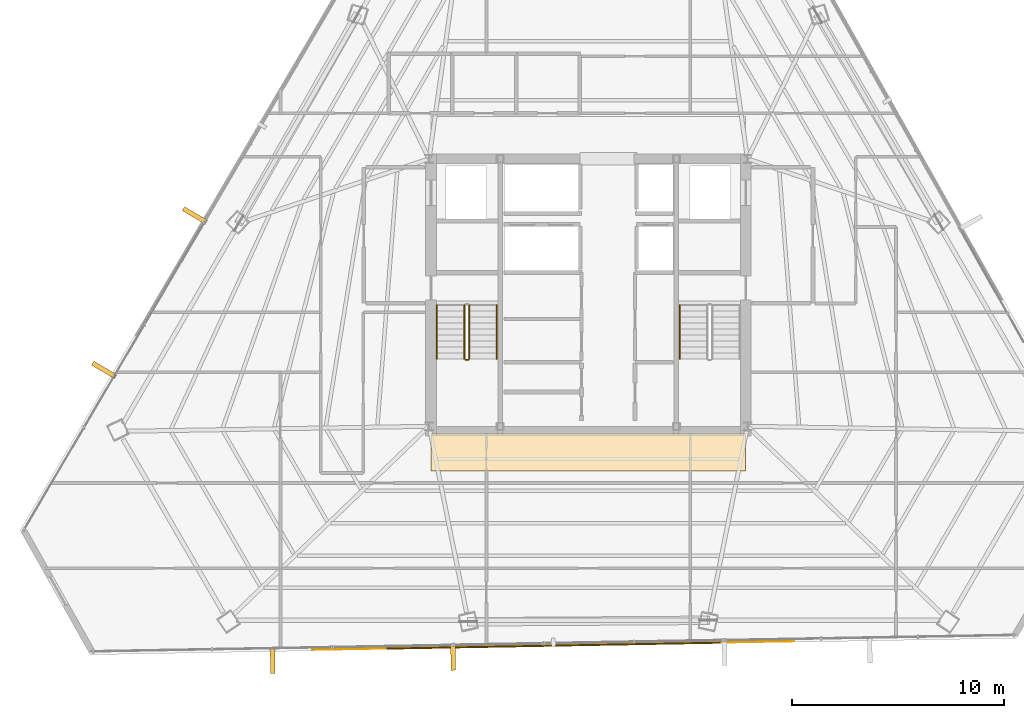
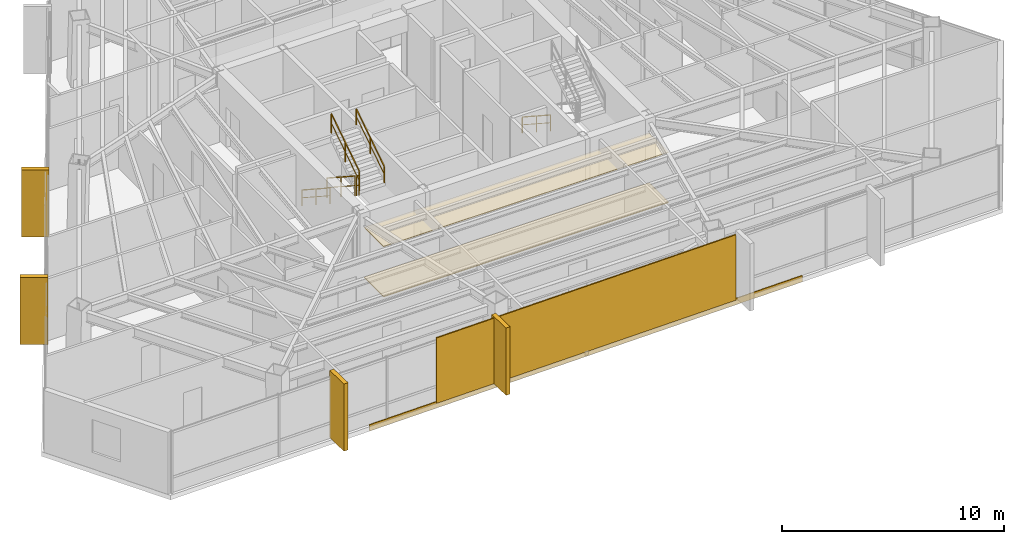
# One storey, part 41 of 44: 7 coverings, 6 railings, 1 shading device.
"""IFC4 building model written with IfcOpenShell, lengths in metres."""

from ifc_helpers import new_model, si_unit, direction, frame, origin, origin_2d, place, context, subcontext, project, spatial, polyline, rectangle, outline, extrude, source, transform, mapped, material, layer, layer_set, type_object, type_shapes, element, save


model = new_model("IFC4")

# Units and contexts
model_context = context("Model", 3, precision=1e-05, world=origin(), true_north=direction((0.0, 1.0)))
body_context = subcontext(model_context, "Body", "Model", "MODEL_VIEW")
ifc_project = project(units=[si_unit("LENGTHUNIT", "METRE"), si_unit("AREAUNIT", "SQUARE_METRE"), si_unit("VOLUMEUNIT", "CUBIC_METRE"), si_unit("PLANEANGLEUNIT", "RADIAN"), si_unit("MASSUNIT", "GRAM", prefix="KILO")], contexts=[model_context])

# Site, building, storey
site_placement = place(None, origin())
site = spatial("IfcSite", under=ifc_project, at=site_placement, CompositionType="ELEMENT")
building_placement = place(site_placement, origin())
building = spatial("IfcBuilding", under=site, at=building_placement, Name="Caelisora Broadcast Tower", CompositionType="ELEMENT")
storey_placement = place(building_placement, frame((0.0, 0.0, 198.64990234375)))
storey = spatial("IfcBuildingStorey", under=building, at=storey_placement, Name="L52", CompositionType="ELEMENT", Elevation=198.64990234375)

# Coverings
ifc_material_1 = material(Name="Perforated Mineral-Fibre Acoustic Ceiling Tile", Category="gypsum")
ifc_layer_1 = layer(ifc_material_1, 0.034912109375, Name="Perforated Mineral-Fibre Acoustic Ceiling Tile")
ifc_layer_set_1 = layer_set([ifc_layer_1], Name="Perforated Mineral-Fibre Acoustic Ceiling Tile")
covering_type_1 = type_object("IfcCoveringType", Name="CE-1", PredefinedType="CEILING", material=ifc_layer_set_1)
covering_1_placement = place(storey_placement, frame((0.0, 0.0, 2.75)))
element("IfcCovering", 1, at=covering_1_placement, inside=storey, type_object=covering_type_1, Name="L52 acoustic corridor ceiling CE-1 (S)", PredefinedType="CEILING", context=body_context, shape_type="SweptSolid", body=[
    extrude(outline(polyline([(30.60009765625, 15.300048828125), (45.39990234375, 15.300048828125), (45.39990234375, 17.050048828125), (30.60009765625, 17.050048828125), (30.60009765625, 15.300048828125)])), origin(), (0.0, 0.0, 1.0), 0.03515625),
])
ifc_material_2 = material(Name="Anti-Static Broadcast Raised Access Floor Panel", Category="steel")
ifc_layer_2 = layer(ifc_material_2, 0.044921875, Name="Anti-Static Broadcast Raised Access Floor Panel")
ifc_layer_set_2 = layer_set([ifc_layer_2], Name="Anti-Static Broadcast Raised Access Floor Panel")
covering_type_2 = type_object("IfcCoveringType", Name="FL-1", PredefinedType="FLOORING", material=ifc_layer_set_2)
covering_2_placement = place(storey_placement, origin())
element("IfcCovering", 2, at=covering_2_placement, inside=storey, type_object=covering_type_2, Name="L52 broadcast raised access floor FL-1 (S)", PredefinedType="FLOORING", context=body_context, shape_type="SweptSolid", body=[
    extrude(outline(polyline([(30.60009765625, 15.300048828125), (45.39990234375, 15.300048828125), (45.39990234375, 17.050048828125), (30.60009765625, 17.050048828125), (30.60009765625, 15.300048828125)])), origin(), (0.0, 0.0, 1.0), 0.045166015625),
])

# Railings
ifc_material_3 = material(Name="Galvanised Steel Safety Guardrail", Category="steel")
ifc_layer_3 = layer(ifc_material_3, 0.048095703125, Name="Galvanised Steel Safety Guardrail")
ifc_layer_set_3 = layer_set([ifc_layer_3], Name="Galvanised Steel Safety Guardrail")
railing_type_1 = type_object("IfcRailingType", Name="GR-1", PredefinedType="GUARDRAIL", material=ifc_layer_set_3)
railing_1_placement = place(storey_placement, frame((32.169921875, 23.10009765625, 0.1826171875)))
element("IfcRailing", 3, at=railing_1_placement, inside=storey, type_object=railing_type_1, Name="L52 ST-1 stair guard 1", PredefinedType="GUARDRAIL", context=body_context, shape_type="SweptSolid", body=[
    extrude(rectangle(XDim=0.048095703125, YDim=0.048095703125, at=origin_2d()), frame((0.0, 0.0, 1.076171875), z_axis=(0.0, -0.837749427056, 0.546054848405), x_axis=(1.0, 0.0, 0.0)), (0.0, 0.0, 1.0), 3.008056640625),
    extrude(rectangle(XDim=0.03125, YDim=0.03125, at=origin_2d()), frame((0.0, 0.0, 0.550048828125), z_axis=(0.0, -0.837749427056, 0.546054848405), x_axis=(1.0, 0.0, 0.0)), (0.0, 0.0, 1.0), 3.008056640625),
    extrude(rectangle(XDim=0.0419921875, YDim=0.0419921875, at=origin_2d()), origin(), (0.0, 0.0, 1.0), 1.052001953125),
    extrude(rectangle(XDim=0.0419921875, YDim=0.0419921875, at=origin_2d()), frame((0.0, -1.260009765625, 0.8212890625)), (0.0, 0.0, 1.0), 1.052001953125),
    extrude(rectangle(XDim=0.0419921875, YDim=0.0419921875, at=origin_2d()), frame((0.0, -2.52001953125, 1.642578125)), (0.0, 0.0, 1.0), 1.052001953125),
])
railing_2_placement = place(storey_placement, frame((32.219970703125, 20.530029296875, 1.8251953125)))
element("IfcRailing", 4, at=railing_2_placement, inside=storey, type_object=railing_type_1, Name="L52 ST-1 stair guard 2", PredefinedType="GUARDRAIL", context=body_context, shape_type="SweptSolid", body=[
    extrude(rectangle(XDim=0.048095703125, YDim=0.048095703125, at=origin_2d()), frame((0.0, 0.0, 1.076171875), z_axis=(1.0, 0.0, 0.0), x_axis=(0.0, 1.0, 0.0)), (0.0, 0.0, 1.0), 0.1201171875),
    extrude(rectangle(XDim=0.03125, YDim=0.03125, at=origin_2d()), frame((0.0, 0.0, 0.550048828125), z_axis=(1.0, 0.0, 0.0), x_axis=(0.0, 1.0, 0.0)), (0.0, 0.0, 1.0), 0.1201171875),
    extrude(rectangle(XDim=0.0419921875, YDim=0.0419921875, at=origin_2d()), origin(), (0.0, 0.0, 1.0), 1.052001953125),
    extrude(rectangle(XDim=0.0419921875, YDim=0.0419921875, at=origin_2d()), frame((0.1201171875, 0.0, 0.0)), (0.0, 0.0, 1.0), 1.052001953125),
])
railing_3_placement = place(storey_placement, frame((32.389892578125, 20.580078125, 2.007568359375)))
element("IfcRailing", 5, at=railing_3_placement, inside=storey, type_object=railing_type_1, Name="L52 ST-1 stair guard 3", PredefinedType="GUARDRAIL", context=body_context, shape_type="SweptSolid", body=[
    extrude(rectangle(XDim=0.048095703125, YDim=0.048095703125, at=origin_2d()), frame((0.0, 0.0, 1.076171875), z_axis=(0.0, 0.837749427056, 0.546054848405), x_axis=(-1.0, 0.0, 0.0)), (0.0, 0.0, 1.0), 3.008056640625),
    extrude(rectangle(XDim=0.03125, YDim=0.03125, at=origin_2d()), frame((0.0, 0.0, 0.550048828125), z_axis=(0.0, 0.837749427056, 0.546054848405), x_axis=(-1.0, 0.0, 0.0)), (0.0, 0.0, 1.0), 3.008056640625),
    extrude(rectangle(XDim=0.0419921875, YDim=0.0419921875, at=origin_2d()), origin(), (0.0, 0.0, 1.0), 1.052001953125),
    extrude(rectangle(XDim=0.0419921875, YDim=0.0419921875, at=origin_2d()), frame((0.0, 1.260009765625, 0.8212890625)), (0.0, 0.0, 1.0), 1.052001953125),
    extrude(rectangle(XDim=0.0419921875, YDim=0.0419921875, at=origin_2d()), frame((0.0, 2.52001953125, 1.642578125)), (0.0, 0.0, 1.0), 1.052001953125),
])
ifc_material_4 = material(Name="Stainless Steel Grade 316 Tubular Handrail", Category="steel")
ifc_layer_4 = layer(ifc_material_4, 0.048095703125, Name="Stainless Steel Grade 316 Tubular Handrail")
ifc_layer_set_4 = layer_set([ifc_layer_4], Name="Stainless Steel Grade 316 Tubular Handrail")
railing_type_2 = type_object("IfcRailingType", Name="HR-1", PredefinedType="HANDRAIL", material=ifc_layer_set_4)
railing_4_placement = place(storey_placement, frame((30.8701171875, 23.10009765625, 0.1826171875)))
element("IfcRailing", 6, at=railing_4_placement, inside=storey, type_object=railing_type_2, Name="L52 ST-1 stair handrail 1", PredefinedType="HANDRAIL", context=body_context, shape_type="SweptSolid", body=[
    extrude(rectangle(XDim=0.048095703125, YDim=0.048095703125, at=origin_2d()), frame((0.0, 0.0, 0.8759765625), z_axis=(0.0, -0.837749427056, 0.546054848405), x_axis=(1.0, 0.0, 0.0)), (0.0, 0.0, 1.0), 3.008056640625),
    extrude(rectangle(XDim=0.03125, YDim=0.03125, at=origin_2d()), frame((0.0, 0.0, 0.449951171875), z_axis=(0.0, -0.837749427056, 0.546054848405), x_axis=(1.0, 0.0, 0.0)), (0.0, 0.0, 1.0), 3.008056640625),
    extrude(rectangle(XDim=0.0419921875, YDim=0.0419921875, at=origin_2d()), origin(), (0.0, 0.0, 1.0), 0.851806640625),
    extrude(rectangle(XDim=0.0419921875, YDim=0.0419921875, at=origin_2d()), frame((0.0, -1.260009765625, 0.8212890625)), (0.0, 0.0, 1.0), 0.851806640625),
    extrude(rectangle(XDim=0.0419921875, YDim=0.0419921875, at=origin_2d()), frame((0.0, -2.52001953125, 1.642578125)), (0.0, 0.0, 1.0), 0.851806640625),
])
railing_5_placement = place(storey_placement, frame((33.68994140625, 20.580078125, 2.007568359375)))
element("IfcRailing", 7, at=railing_5_placement, inside=storey, type_object=railing_type_2, Name="L52 ST-1 stair handrail 2", PredefinedType="HANDRAIL", context=body_context, shape_type="SweptSolid", body=[
    extrude(rectangle(XDim=0.048095703125, YDim=0.048095703125, at=origin_2d()), frame((0.0, 0.0, 0.8759765625), z_axis=(0.0, 0.837749427056, 0.546054848405), x_axis=(-1.0, 0.0, 0.0)), (0.0, 0.0, 1.0), 3.008056640625),
    extrude(rectangle(XDim=0.03125, YDim=0.03125, at=origin_2d()), frame((0.0, 0.0, 0.449951171875), z_axis=(0.0, 0.837749427056, 0.546054848405), x_axis=(-1.0, 0.0, 0.0)), (0.0, 0.0, 1.0), 3.008056640625),
    extrude(rectangle(XDim=0.0419921875, YDim=0.0419921875, at=origin_2d()), origin(), (0.0, 0.0, 1.0), 0.851806640625),
    extrude(rectangle(XDim=0.0419921875, YDim=0.0419921875, at=origin_2d()), frame((0.0, 1.260009765625, 0.8212890625)), (0.0, 0.0, 1.0), 0.851806640625),
    extrude(rectangle(XDim=0.0419921875, YDim=0.0419921875, at=origin_2d()), frame((0.0, 2.52001953125, 1.642578125)), (0.0, 0.0, 1.0), 0.851806640625),
])
railing_6_placement = place(storey_placement, frame((42.31005859375, 23.10009765625, 0.1826171875)))
element("IfcRailing", 8, at=railing_6_placement, inside=storey, type_object=railing_type_2, Name="L52 ST-2 stair handrail 1", PredefinedType="HANDRAIL", context=body_context, shape_type="SweptSolid", body=[
    extrude(rectangle(XDim=0.048095703125, YDim=0.048095703125, at=origin_2d()), frame((0.0, 0.0, 0.8759765625), z_axis=(0.0, -0.837749427056, 0.546054848405), x_axis=(1.0, 0.0, 0.0)), (0.0, 0.0, 1.0), 3.008056640625),
    extrude(rectangle(XDim=0.03125, YDim=0.03125, at=origin_2d()), frame((0.0, 0.0, 0.449951171875), z_axis=(0.0, -0.837749427056, 0.546054848405), x_axis=(1.0, 0.0, 0.0)), (0.0, 0.0, 1.0), 3.008056640625),
    extrude(rectangle(XDim=0.0419921875, YDim=0.0419921875, at=origin_2d()), origin(), (0.0, 0.0, 1.0), 0.851806640625),
    extrude(rectangle(XDim=0.0419921875, YDim=0.0419921875, at=origin_2d()), frame((0.0, -1.260009765625, 0.8212890625)), (0.0, 0.0, 1.0), 0.851806640625),
    extrude(rectangle(XDim=0.0419921875, YDim=0.0419921875, at=origin_2d()), frame((0.0, -2.52001953125, 1.642578125)), (0.0, 0.0, 1.0), 0.851806640625),
])

# Coverings
ifc_material_5 = material(Name="Kiln-Fired Terracotta Spandrel Rainscreen Cladding", Category="ceramic")
ifc_layer_5 = layer(ifc_material_5, 0.044921875, Name="Kiln-Fired Terracotta Spandrel Rainscreen Cladding")
ifc_layer_set_5 = layer_set([ifc_layer_5], Name="Kiln-Fired Terracotta Spandrel Rainscreen Cladding")
covering_type_3 = type_object("IfcCoveringType", Name="CL-1", PredefinedType="CLADDING", material=ifc_layer_set_5)
shared_shape_1 = source(origin(), body_context, "Body", "SweptSolid", [
    extrude(rectangle(XDim=0.219970703125, YDim=1.25, at=origin_2d()), origin(), (0.0, 0.0, 1.0), 3.68994140625),
])
for number, where, z_axis, x_axis, name in (
    (9, (31.6337890625, 6.53271484375, -0.019775390625), (0.0, 0.0, 1.0), (-0.999841542203, -0.017801418053, 0.0), "L52 vertical solar fin cladding #2-3"),
    (10, (23.132080078125, 6.38134765625, -0.019775390625), (0.0, 0.0, 1.0), (-0.999841542203, -0.017801418053, 0.0), "L52 vertical solar fin cladding #2-4"),
    (11, (15.19384765625, 20.0556640625, -0.019775390625), (0.0, 0.0, 1.0), (0.506334807353, 0.862336977557, 0.0), "L52 vertical solar fin cladding #3-1"),
    (12, (19.466796875, 27.331787109375, -0.019775390625), (0.0, 0.0, 1.0), (0.506334807353, 0.862336977557, 0.0), "L52 vertical solar fin cladding #3-2"),
):
    element("IfcCovering", number, at=place(storey_placement, frame(where, z_axis=z_axis, x_axis=x_axis)), inside=storey, type_object=covering_type_3, Name=name, PredefinedType="CLADDING", context=body_context, shape_type="MappedRepresentation", body=[
        mapped(shared_shape_1, transform((0.0, 0.0, 0.0), scale=1.0)),
    ])

# Shading device
ifc_material_6 = material(Name="Perforated Glazed Terracotta Baguette Solar Screen", Category="ceramic")
ifc_layer_6 = layer(ifc_material_6, 0.06494140625, Name="Perforated Glazed Terracotta Baguette Solar Screen")
ifc_layer_set_6 = layer_set([ifc_layer_6], Name="Perforated Glazed Terracotta Baguette Solar Screen")
shading_device_type = type_object("IfcShadingDeviceType", Name="SS-1", PredefinedType="USERDEFINED", material=ifc_layer_set_6)
shared_shape_2 = source(origin(), body_context, "Body", "SweptSolid", [
    extrude(rectangle(XDim=15.717041015625, YDim=0.06494140625, at=origin_2d()), origin(), (0.0, 0.0, 1.0), 3.590087890625),
])
type_shapes(shading_device_type, [shared_shape_2])
shading_device_placement = place(storey_placement, frame((36.3583984375, 7.06689453125, 0.0), z_axis=(0.0, 0.0, 1.0), x_axis=(0.999841542203, 0.017801418053, 0.0)))
element("IfcShadingDevice", 13, at=shading_device_placement, inside=storey, type_object=shading_device_type, Name="L52 perforated terracotta solar screen #2", ObjectType="SOLAR SCREEN", PredefinedType="USERDEFINED", context=body_context, shape_type="MappedRepresentation", body=[
    mapped(shared_shape_2, transform((0.0, 0.0, 0.0), scale=1.0)),
])

# Covering
shared_shape_3 = source(origin(), body_context, "Body", "SweptSolid", [
    extrude(rectangle(XDim=22.702880859375, YDim=0.044921875, at=origin_2d()), origin(), (0.0, 0.0, 1.0), 0.340087890625),
])
type_shapes(covering_type_3, [shared_shape_1, shared_shape_3])
covering_3_placement = place(storey_placement, frame((36.35791015625, 7.0869140625, -0.27001953125), z_axis=(0.0, 0.0, 1.0), x_axis=(0.999841542203, 0.017801418053, 0.0)))
element("IfcCovering", 14, at=covering_3_placement, inside=storey, type_object=covering_type_3, Name="L52 terracotta spandrel rainscreen #2", PredefinedType="CLADDING", context=body_context, shape_type="MappedRepresentation", body=[
    mapped(shared_shape_3, transform((0.0, 0.0, 0.0), scale=1.0)),
])

save(model, "model.ifc")
